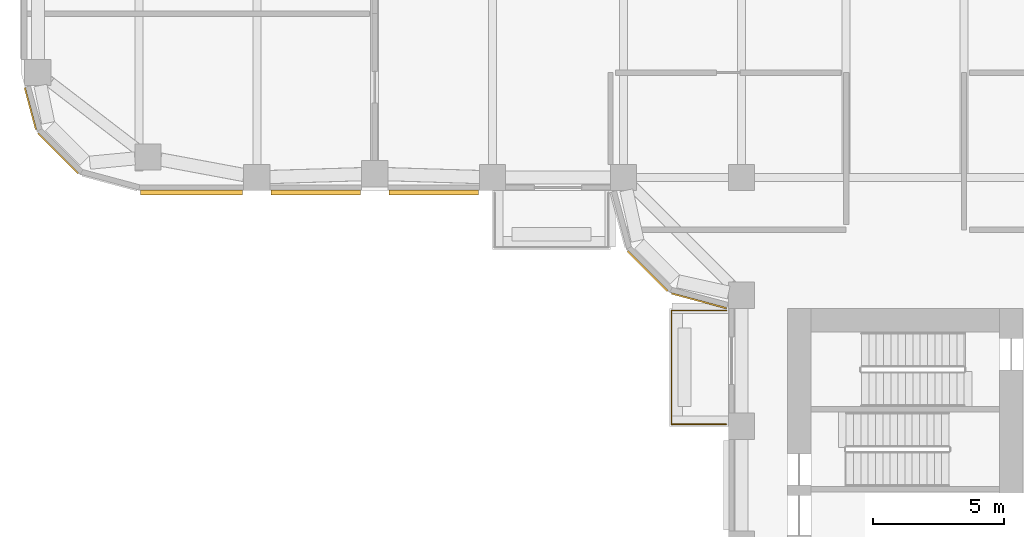
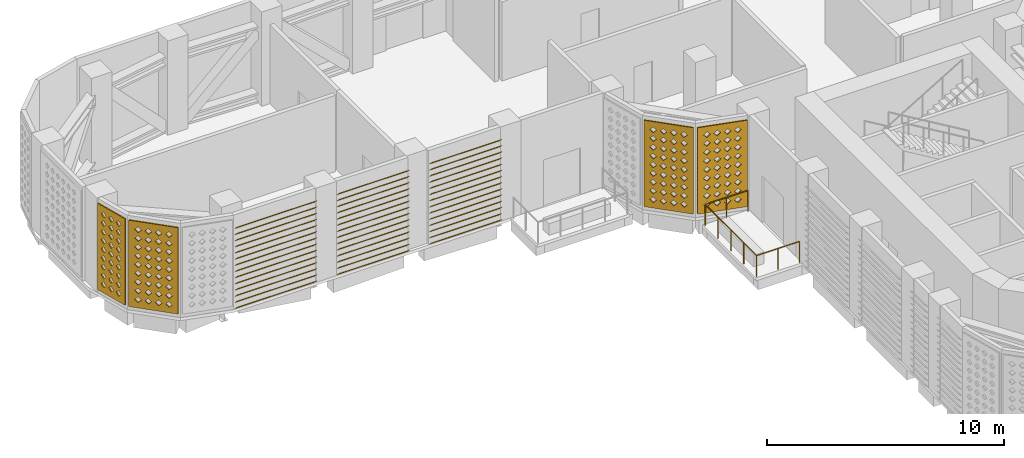
# One storey, part 10 of 20: 4 coverings, 3 shading devices, 1 railing.
"""IFC4 building model written with IfcOpenShell, lengths in metres."""

import ifcopenshell
import ifcopenshell.guid

model = None  # the IFC model being written
_history = None  # IfcOwnerHistory: only IFC2X3 demands one
_inside = {}  # id of a spatial element -> (the spatial element, [elements in it])
_under = {}  # id of a project, library or spatial element -> (it, [spatial elements below it])
_declared = {}  # id of a project -> (the project, [libraries it declares])
_typed = {}  # id of a type object -> (the type object, [elements of that type])
_made_of = {}  # id of a material, layer set ... -> (it, [elements and type objects made of it])


def new_model(schema):
    """Start an empty IFC model of exactly this schema.

    Asked for "IFC4X3", IfcOpenShell would pick the latest addendum, in which some entities
    have other attributes; the version numbers below select the first issue.
    IFC2X3 requires an IfcOwnerHistory on every rooted entity: one is made here for all.
    """
    global model, _history
    if schema == "IFC4X3":
        model = ifcopenshell.file(schema_version=(4, 3, 0, 0))
    else:
        model = ifcopenshell.file(schema=schema)
    _inside.clear()
    _under.clear()
    _declared.clear()
    _typed.clear()
    _made_of.clear()
    _history = None
    if model.schema == "IFC2X3":
        org = make("IfcOrganization", Name="unknown")
        user = make(
            "IfcPersonAndOrganization",
            ThePerson=make("IfcPerson", FamilyName="unknown"),
            TheOrganization=org,
        )
        app = make(
            "IfcApplication",
            ApplicationDeveloper=org,
            Version="unknown",
            ApplicationFullName="unknown",
            ApplicationIdentifier="unknown",
        )
        _history = make(
            "IfcOwnerHistory",
            OwningUser=user,
            OwningApplication=app,
            ChangeAction="ADDED",
            CreationDate=0,
        )
    return model


def make(cls, **values):
    """One entity of the class cls with the attributes given. An attribute that is None is left unset."""
    return model.create_entity(
        cls, **{name: value for name, value in values.items() if value is not None}
    )


def rooted(cls, **values):
    """An entity with a GlobalId (a new one), such as an element, a storey or a relation."""
    return make(cls, GlobalId=ifcopenshell.guid.new(), OwnerHistory=_history, **values)


def si_unit(unit_type, name, prefix=None):
    """IfcSIUnit, for example si_unit("LENGTHUNIT", "METRE", prefix="MILLI")."""
    return make("IfcSIUnit", UnitType=unit_type, Prefix=prefix, Name=name)


def assignment(units):
    """IfcUnitAssignment: the units of a project."""
    return None if units is None else make("IfcUnitAssignment", Units=units)


def point(xyz):
    """IfcCartesianPoint."""
    return None if xyz is None else make("IfcCartesianPoint", Coordinates=xyz)


def direction(xyz):
    """IfcDirection."""
    return None if xyz is None else make("IfcDirection", DirectionRatios=xyz)


def frame(location, z_axis=None, x_axis=None):
    """IfcAxis2Placement3D, a coordinate frame: its origin and axes. An axis left out is left unset."""
    return make(
        "IfcAxis2Placement3D",
        Location=point(location),
        Axis=direction(z_axis),
        RefDirection=direction(x_axis),
    )


def frame_2d(location, x_axis=None):
    """IfcAxis2Placement2D, a coordinate frame in the plane: its origin and x axis."""
    return make(
        "IfcAxis2Placement2D", Location=point(location), RefDirection=direction(x_axis)
    )


def origin():
    """The frame at (0, 0, 0) with its axes left unset."""
    return frame((0.0, 0.0, 0.0))


def origin_2d():
    """The frame at (0, 0) in the plane with its x axis left unset."""
    return frame_2d((0.0, 0.0))


def place(relative_to, where):
    """IfcLocalPlacement: puts the frame where relative to a parent placement (None: the world)."""
    return make(
        "IfcLocalPlacement", PlacementRelTo=relative_to, RelativePlacement=where
    )


def context(
    kind, dimensions, precision=None, world=None, true_north=None, identifier=None
):
    """IfcGeometricRepresentationContext, for example the 3D "Model" context."""
    return make(
        "IfcGeometricRepresentationContext",
        ContextIdentifier=identifier,
        ContextType=kind,
        CoordinateSpaceDimension=dimensions,
        Precision=precision,
        WorldCoordinateSystem=world,
        TrueNorth=true_north,
    )


def subcontext(parent, identifier, kind, view, scale=None):
    """IfcGeometricRepresentationSubContext, for example "Body" below "Model"."""
    return make(
        "IfcGeometricRepresentationSubContext",
        ContextIdentifier=identifier,
        ContextType=kind,
        ParentContext=parent,
        TargetScale=scale,
        TargetView=view,
    )


def project(units=None, contexts=None):
    """IfcProject with its units and contexts."""
    return rooted(
        "IfcProject",
        Name="project",
        RepresentationContexts=contexts,
        UnitsInContext=assignment(units),
    )


def spatial(cls, under=None, at=None, **own):
    """A site, building, storey or space (cls), placed at a placement, below another one or the project."""
    s = rooted(cls, ObjectPlacement=at, **own)
    if under is not None:
        _under.setdefault(under.id(), (under, []))[1].append(s)
    return s


def polyline(points):
    """IfcPolyline through the points."""
    return make("IfcPolyline", Points=[point(p) for p in points])


def profile(cls, at=None, kind="AREA", **sizes):
    """A parametric profile (cls). Its sizes go by their IFC names, for example OverallWidth=200.0."""
    return make(cls, ProfileType=kind, Position=at, **sizes)


def circle(**sizes):
    """IfcCircleProfileDef."""
    return profile("IfcCircleProfileDef", **sizes)


def outline(outer, holes=None, kind="AREA"):
    """IfcArbitraryClosedProfileDef: a profile drawn as a closed curve; with holes, ...WithVoids."""
    if holes is None:
        return make("IfcArbitraryClosedProfileDef", ProfileType=kind, OuterCurve=outer)
    return make(
        "IfcArbitraryProfileDefWithVoids",
        ProfileType=kind,
        OuterCurve=outer,
        InnerCurves=holes,
    )


def extrude(swept, where, along, depth):
    """IfcExtrudedAreaSolid: the profile swept, set in the frame where, extruded along a direction by depth."""
    return make(
        "IfcExtrudedAreaSolid",
        SweptArea=swept,
        Position=where,
        ExtrudedDirection=direction(along),
        Depth=depth,
    )


def shape(context_of_items, identifier, shape_type, items):
    """IfcShapeRepresentation: the items that make up one representation, for example the "Body"."""
    return make(
        "IfcShapeRepresentation",
        ContextOfItems=context_of_items,
        RepresentationIdentifier=identifier,
        RepresentationType=shape_type,
        Items=items,
    )


def source(mapping_origin, context_of_items, identifier, shape_type, items):
    """IfcRepresentationMap: a shape defined once, which mapped items show again and again."""
    return make(
        "IfcRepresentationMap",
        MappingOrigin=mapping_origin,
        MappedRepresentation=shape(context_of_items, identifier, shape_type, items),
    )


def transform(
    local_origin,
    x_axis=None,
    y_axis=None,
    z_axis=None,
    scale=None,
    scale2=None,
    scale3=None,
    uniform=True,
):
    """IfcCartesianTransformationOperator3D, or its non-uniform kind. x_axis, y_axis, z_axis: its Axis1, 2, 3."""
    if uniform:
        return make(
            "IfcCartesianTransformationOperator3D",
            Axis1=direction(x_axis),
            Axis2=direction(y_axis),
            LocalOrigin=point(local_origin),
            Scale=scale,
            Axis3=direction(z_axis),
        )
    return make(
        "IfcCartesianTransformationOperator3DnonUniform",
        Axis1=direction(x_axis),
        Axis2=direction(y_axis),
        LocalOrigin=point(local_origin),
        Scale=scale,
        Axis3=direction(z_axis),
        Scale2=scale2,
        Scale3=scale3,
    )


def mapped(mapping_source, mapping_target):
    """IfcMappedItem: shows the shape of a source again, moved by a transform."""
    return make(
        "IfcMappedItem", MappingSource=mapping_source, MappingTarget=mapping_target
    )


def material(Name=None, Category=None):
    """IfcMaterial."""
    return make("IfcMaterial", Name=Name, Category=Category)


def layer(
    of_material, thickness, ventilated=None, Name=None, Category=None, Priority=None
):
    """IfcMaterialLayer: one layer of a wall or slab, of a material (None: an air gap)."""
    return make(
        "IfcMaterialLayer",
        Material=of_material,
        LayerThickness=thickness,
        IsVentilated=ventilated,
        Name=Name,
        Category=Category,
        Priority=Priority,
    )


def layer_set(layers, Name=None):
    """IfcMaterialLayerSet."""
    return make("IfcMaterialLayerSet", MaterialLayers=layers, LayerSetName=Name)


def made_of(thing, what):
    """Note that an element or type object is made of a material, layer set ...; save() writes the relation."""
    if what is not None:
        _made_of.setdefault(what.id(), (what, []))[1].append(thing)
    return thing


def type_object(cls, material=None, **own):
    """A type object (cls), such as IfcWallType, which elements share."""
    return made_of(rooted(cls, **own), material)


def element(
    cls,
    number,
    at=None,
    inside=None,
    cuts=None,
    type_object=None,
    material=None,
    context=None,
    identifier="Body",
    shape_type=None,
    held_by="IfcProductDefinitionShape",
    body=None,
    shapes=None,
    **own,
):
    """One element of the class cls, such as IfcWall. Its Tag is "e" and its number.

    at: its placement. inside: the storey or other place that contains it. cuts: it is an
    opening in that element (IfcRelVoidsElement). A single representation is given by context,
    identifier, shape_type and body (its items); several are given by shapes. held_by: the class
    of the entity that holds the representations. save() writes the other relations.
    """
    e = rooted(cls, Tag="e%d" % number, ObjectPlacement=at, **own)
    if body is not None:
        shapes = [shape(context, identifier, shape_type, body)]
    if shapes is not None:
        e.Representation = make(held_by, Representations=shapes)
    if inside is not None:
        _inside.setdefault(inside.id(), (inside, []))[1].append(e)
    if cuts is not None:
        rooted(
            "IfcRelVoidsElement", RelatingBuildingElement=cuts, RelatedOpeningElement=e
        )
    if type_object is not None:
        _typed.setdefault(type_object.id(), (type_object, []))[1].append(e)
    return made_of(e, material)


def aggregate(whole, parts):
    """IfcRelAggregates: a whole, such as a stair, and the parts it consists of."""
    return rooted("IfcRelAggregates", RelatingObject=whole, RelatedObjects=parts)


def save(model, path):
    """Write the relations noted so far, then the file.

    IfcRelAggregates (storeys below a building ...), IfcRelContainedInSpatialStructure (elements
    in a storey), IfcRelDefinesByType, IfcRelAssociatesMaterial and IfcRelDeclares: one each for
    every whole, place, type object, material and project.
    """
    for whole, parts in _under.values():
        aggregate(whole, parts)
    for where, things in _inside.values():
        rooted(
            "IfcRelContainedInSpatialStructure",
            RelatedElements=things,
            RelatingStructure=where,
        )
    for kind, things in _typed.values():
        rooted("IfcRelDefinesByType", RelatedObjects=things, RelatingType=kind)
    for what, things in _made_of.values():
        rooted("IfcRelAssociatesMaterial", RelatedObjects=things, RelatingMaterial=what)
    for by, libraries in _declared.values():
        rooted("IfcRelDeclares", RelatingContext=by, RelatedDefinitions=libraries)
    model.write(path)


model = new_model("IFC4")

# Units and contexts
model_context = context("Model", 3, precision=1e-05, world=origin(), true_north=direction((0.0, 1.0)))
body_context = subcontext(model_context, "Body", "Model", "MODEL_VIEW")
ifc_project = project(units=[si_unit("LENGTHUNIT", "METRE"), si_unit("AREAUNIT", "SQUARE_METRE"), si_unit("VOLUMEUNIT", "CUBIC_METRE"), si_unit("PLANEANGLEUNIT", "RADIAN"), si_unit("MASSUNIT", "GRAM", prefix="KILO")], contexts=[model_context])

# Site, building, storey
site_placement = place(None, origin())
site = spatial("IfcSite", under=ifc_project, at=site_placement, CompositionType="ELEMENT")
building_placement = place(site_placement, origin())
building = spatial("IfcBuilding", under=site, at=building_placement, Name="Zarbagh Exchange Tower", CompositionType="ELEMENT")
storey_placement = place(building_placement, frame((0.0, 0.0, 81.60009765625)))
storey = spatial("IfcBuildingStorey", under=building, at=storey_placement, Name="L18", CompositionType="ELEMENT", Elevation=81.60009765625)

# Railing
ifc_material_1 = material(Name="Stainless steel and laminated glass", Category="steel")
railing_type = type_object("IfcRailingType", Name="Terrace guard, glass balustrade 1.1 m", PredefinedType="GUARDRAIL", material=ifc_material_1)
railing_placement = place(storey_placement, frame((-6.830078125, -15.669921875, 0.0)))
element("IfcRailing", 1, at=railing_placement, inside=storey, type_object=railing_type, Name="TG01 terrace guard", PredefinedType="GUARDRAIL", context=body_context, shape_type="SweptSolid", body=[
    extrude(circle(Radius=0.02490234375, at=origin_2d()), frame((0.0, 0.0, 1.0751953125), z_axis=(-1.0, 0.0, 0.0), x_axis=(0.0, -1.0, 0.0)), (0.0, 0.0, 1.0), 2.08984375),
    extrude(circle(Radius=0.02490234375, at=origin_2d()), frame((-2.08984375, 0.0, 1.0751953125), z_axis=(0.0, 1.0, 0.0), x_axis=(-1.0, 0.0, 0.0)), (0.0, 0.0, 1.0), 4.33984375),
    extrude(circle(Radius=0.02490234375, at=origin_2d()), frame((-2.08984375, 4.33984375, 1.0751953125), z_axis=(1.0, 0.0, 0.0), x_axis=(0.0, 1.0, 0.0)), (0.0, 0.0, 1.0), 2.08984375),
    extrude(circle(Radius=0.02490234375, at=origin_2d()), origin(), (0.0, 0.0, 1.0), 1.050048828125),
    extrude(circle(Radius=0.02490234375, at=origin_2d()), frame((-1.044921875, 0.0, 0.0)), (0.0, 0.0, 1.0), 1.050048828125),
    extrude(circle(Radius=0.02490234375, at=origin_2d()), frame((-2.08984375, 0.0, 0.0)), (0.0, 0.0, 1.0), 1.050048828125),
    extrude(circle(Radius=0.02490234375, at=origin_2d()), frame((-2.08984375, 1.0849609375, 0.0)), (0.0, 0.0, 1.0), 1.050048828125),
    extrude(circle(Radius=0.02490234375, at=origin_2d()), frame((-2.08984375, 2.169921875, 0.0)), (0.0, 0.0, 1.0), 1.050048828125),
    extrude(circle(Radius=0.02490234375, at=origin_2d()), frame((-2.08984375, 3.2548828125, 0.0)), (0.0, 0.0, 1.0), 1.050048828125),
    extrude(circle(Radius=0.02490234375, at=origin_2d()), frame((-2.08984375, 4.33984375, 0.0)), (0.0, 0.0, 1.0), 1.050048828125),
    extrude(circle(Radius=0.02490234375, at=origin_2d()), frame((-1.044921875, 4.33984375, 0.0)), (0.0, 0.0, 1.0), 1.050048828125),
    extrude(circle(Radius=0.02490234375, at=origin_2d()), frame((0.0, 4.33984375, 0.0)), (0.0, 0.0, 1.0), 1.050048828125),
])

# Coverings
ifc_material_2 = material(Name="Glass-fibre reinforced concrete GFRC C50/60", Category="concrete")
ifc_layer = layer(ifc_material_2, 0.06005859375)
ifc_layer_set = layer_set([ifc_layer], Name="SCREEN jali panel, GFRC")
covering_type = type_object("IfcCoveringType", Name="SCREEN jali panel, GFRC", PredefinedType="CLADDING", material=ifc_layer_set)
shared_shape_1 = source(origin(), body_context, "Body", "SweptSolid", [
    extrude(outline(polyline([(0.0, 0.0), (1.656005859375, 0.0), (1.656005859375, 4.449951171875), (0.0, 4.449951171875), (0.0, 0.0)]), holes=[polyline([(0.22802734375, 0.425048828125), (0.3779296875, 0.27490234375), (0.528076171875, 0.425048828125), (0.3779296875, 0.574951171875), (0.22802734375, 0.425048828125)]), polyline([(0.22802734375, 0.875), (0.3779296875, 0.72509765625), (0.528076171875, 0.875), (0.3779296875, 1.02490234375), (0.22802734375, 0.875)]), polyline([(0.22802734375, 1.324951171875), (0.3779296875, 1.175048828125), (0.528076171875, 1.324951171875), (0.3779296875, 1.47509765625), (0.22802734375, 1.324951171875)]), polyline([(0.22802734375, 1.77490234375), (0.3779296875, 1.625), (0.528076171875, 1.77490234375), (0.3779296875, 1.925048828125), (0.22802734375, 1.77490234375)]), polyline([(0.22802734375, 2.22509765625), (0.3779296875, 2.074951171875), (0.528076171875, 2.22509765625), (0.3779296875, 2.375), (0.22802734375, 2.22509765625)]), polyline([(0.22802734375, 2.675048828125), (0.3779296875, 2.52490234375), (0.528076171875, 2.675048828125), (0.3779296875, 2.824951171875), (0.22802734375, 2.675048828125)]), polyline([(0.22802734375, 3.125), (0.3779296875, 2.97509765625), (0.528076171875, 3.125), (0.3779296875, 3.27490234375), (0.22802734375, 3.125)]), polyline([(0.22802734375, 3.574951171875), (0.3779296875, 3.425048828125), (0.528076171875, 3.574951171875), (0.3779296875, 3.72509765625), (0.22802734375, 3.574951171875)]), polyline([(0.22802734375, 4.02490234375), (0.3779296875, 3.875), (0.528076171875, 4.02490234375), (0.3779296875, 4.175048828125), (0.22802734375, 4.02490234375)]), polyline([(0.677978515625, 0.425048828125), (0.827880859375, 0.27490234375), (0.97802734375, 0.425048828125), (0.827880859375, 0.574951171875), (0.677978515625, 0.425048828125)]), polyline([(0.677978515625, 0.875), (0.827880859375, 0.72509765625), (0.97802734375, 0.875), (0.827880859375, 1.02490234375), (0.677978515625, 0.875)]), polyline([(0.677978515625, 1.324951171875), (0.827880859375, 1.175048828125), (0.97802734375, 1.324951171875), (0.827880859375, 1.47509765625), (0.677978515625, 1.324951171875)]), polyline([(0.677978515625, 1.77490234375), (0.827880859375, 1.625), (0.97802734375, 1.77490234375), (0.827880859375, 1.925048828125), (0.677978515625, 1.77490234375)]), polyline([(0.677978515625, 2.22509765625), (0.827880859375, 2.074951171875), (0.97802734375, 2.22509765625), (0.827880859375, 2.375), (0.677978515625, 2.22509765625)]), polyline([(0.677978515625, 2.675048828125), (0.827880859375, 2.52490234375), (0.97802734375, 2.675048828125), (0.827880859375, 2.824951171875), (0.677978515625, 2.675048828125)]), polyline([(0.677978515625, 3.125), (0.827880859375, 2.97509765625), (0.97802734375, 3.125), (0.827880859375, 3.27490234375), (0.677978515625, 3.125)]), polyline([(0.677978515625, 3.574951171875), (0.827880859375, 3.425048828125), (0.97802734375, 3.574951171875), (0.827880859375, 3.72509765625), (0.677978515625, 3.574951171875)]), polyline([(0.677978515625, 4.02490234375), (0.827880859375, 3.875), (0.97802734375, 4.02490234375), (0.827880859375, 4.175048828125), (0.677978515625, 4.02490234375)]), polyline([(1.1279296875, 0.425048828125), (1.278076171875, 0.27490234375), (1.427978515625, 0.425048828125), (1.278076171875, 0.574951171875), (1.1279296875, 0.425048828125)]), polyline([(1.1279296875, 0.875), (1.278076171875, 0.72509765625), (1.427978515625, 0.875), (1.278076171875, 1.02490234375), (1.1279296875, 0.875)]), polyline([(1.1279296875, 1.324951171875), (1.278076171875, 1.175048828125), (1.427978515625, 1.324951171875), (1.278076171875, 1.47509765625), (1.1279296875, 1.324951171875)]), polyline([(1.1279296875, 1.77490234375), (1.278076171875, 1.625), (1.427978515625, 1.77490234375), (1.278076171875, 1.925048828125), (1.1279296875, 1.77490234375)]), polyline([(1.1279296875, 2.22509765625), (1.278076171875, 2.074951171875), (1.427978515625, 2.22509765625), (1.278076171875, 2.375), (1.1279296875, 2.22509765625)]), polyline([(1.1279296875, 2.675048828125), (1.278076171875, 2.52490234375), (1.427978515625, 2.675048828125), (1.278076171875, 2.824951171875), (1.1279296875, 2.675048828125)]), polyline([(1.1279296875, 3.125), (1.278076171875, 2.97509765625), (1.427978515625, 3.125), (1.278076171875, 3.27490234375), (1.1279296875, 3.125)]), polyline([(1.1279296875, 3.574951171875), (1.278076171875, 3.425048828125), (1.427978515625, 3.574951171875), (1.278076171875, 3.72509765625), (1.1279296875, 3.574951171875)]), polyline([(1.1279296875, 4.02490234375), (1.278076171875, 3.875), (1.427978515625, 4.02490234375), (1.278076171875, 4.175048828125), (1.1279296875, 4.02490234375)])]), origin(), (0.0, 0.0, 1.0), 0.06005859375),
])
placement = place(storey_placement, origin())
element("IfcCovering", 2, at=placement, inside=storey, type_object=covering_type, Name="JS31 jali screen", PredefinedType="CLADDING", context=body_context, shape_type="MappedRepresentation", body=[
    mapped(shared_shape_1, transform((-33.57763671875, -2.81591796875, 0.199951171875), x_axis=(0.258825057666, -0.965924215207, 0.0), y_axis=(0.0, 0.0, 1.0), z_axis=(-0.965924215207, -0.258825057666, 0.0))),
])
shared_shape_2 = source(origin(), body_context, "Body", "SweptSolid", [
    extrude(outline(polyline([(0.0, 0.0), (2.1650390625, 0.0), (2.1650390625, 4.449951171875), (0.0, 4.449951171875), (0.0, 0.0)]), holes=[polyline([(0.257568359375, 0.425048828125), (0.407470703125, 0.27490234375), (0.5576171875, 0.425048828125), (0.407470703125, 0.574951171875), (0.257568359375, 0.425048828125)]), polyline([(0.257568359375, 0.875), (0.407470703125, 0.72509765625), (0.5576171875, 0.875), (0.407470703125, 1.02490234375), (0.257568359375, 0.875)]), polyline([(0.257568359375, 1.324951171875), (0.407470703125, 1.175048828125), (0.5576171875, 1.324951171875), (0.407470703125, 1.47509765625), (0.257568359375, 1.324951171875)]), polyline([(0.257568359375, 1.77490234375), (0.407470703125, 1.625), (0.5576171875, 1.77490234375), (0.407470703125, 1.925048828125), (0.257568359375, 1.77490234375)]), polyline([(0.257568359375, 2.22509765625), (0.407470703125, 2.074951171875), (0.5576171875, 2.22509765625), (0.407470703125, 2.375), (0.257568359375, 2.22509765625)]), polyline([(0.257568359375, 2.675048828125), (0.407470703125, 2.52490234375), (0.5576171875, 2.675048828125), (0.407470703125, 2.824951171875), (0.257568359375, 2.675048828125)]), polyline([(0.257568359375, 3.125), (0.407470703125, 2.97509765625), (0.5576171875, 3.125), (0.407470703125, 3.27490234375), (0.257568359375, 3.125)]), polyline([(0.257568359375, 3.574951171875), (0.407470703125, 3.425048828125), (0.5576171875, 3.574951171875), (0.407470703125, 3.72509765625), (0.257568359375, 3.574951171875)]), polyline([(0.257568359375, 4.02490234375), (0.407470703125, 3.875), (0.5576171875, 4.02490234375), (0.407470703125, 4.175048828125), (0.257568359375, 4.02490234375)]), polyline([(0.70751953125, 0.425048828125), (0.857421875, 0.27490234375), (1.007568359375, 0.425048828125), (0.857421875, 0.574951171875), (0.70751953125, 0.425048828125)]), polyline([(0.70751953125, 0.875), (0.857421875, 0.72509765625), (1.007568359375, 0.875), (0.857421875, 1.02490234375), (0.70751953125, 0.875)]), polyline([(0.70751953125, 1.324951171875), (0.857421875, 1.175048828125), (1.007568359375, 1.324951171875), (0.857421875, 1.47509765625), (0.70751953125, 1.324951171875)]), polyline([(0.70751953125, 1.77490234375), (0.857421875, 1.625), (1.007568359375, 1.77490234375), (0.857421875, 1.925048828125), (0.70751953125, 1.77490234375)]), polyline([(0.70751953125, 2.22509765625), (0.857421875, 2.074951171875), (1.007568359375, 2.22509765625), (0.857421875, 2.375), (0.70751953125, 2.22509765625)]), polyline([(0.70751953125, 2.675048828125), (0.857421875, 2.52490234375), (1.007568359375, 2.675048828125), (0.857421875, 2.824951171875), (0.70751953125, 2.675048828125)]), polyline([(0.70751953125, 3.125), (0.857421875, 2.97509765625), (1.007568359375, 3.125), (0.857421875, 3.27490234375), (0.70751953125, 3.125)]), polyline([(0.70751953125, 3.574951171875), (0.857421875, 3.425048828125), (1.007568359375, 3.574951171875), (0.857421875, 3.72509765625), (0.70751953125, 3.574951171875)]), polyline([(0.70751953125, 4.02490234375), (0.857421875, 3.875), (1.007568359375, 4.02490234375), (0.857421875, 4.175048828125), (0.70751953125, 4.02490234375)]), polyline([(1.157470703125, 0.425048828125), (1.3076171875, 0.27490234375), (1.45751953125, 0.425048828125), (1.3076171875, 0.574951171875), (1.157470703125, 0.425048828125)]), polyline([(1.157470703125, 0.875), (1.3076171875, 0.72509765625), (1.45751953125, 0.875), (1.3076171875, 1.02490234375), (1.157470703125, 0.875)]), polyline([(1.157470703125, 1.324951171875), (1.3076171875, 1.175048828125), (1.45751953125, 1.324951171875), (1.3076171875, 1.47509765625), (1.157470703125, 1.324951171875)]), polyline([(1.157470703125, 1.77490234375), (1.3076171875, 1.625), (1.45751953125, 1.77490234375), (1.3076171875, 1.925048828125), (1.157470703125, 1.77490234375)]), polyline([(1.157470703125, 2.22509765625), (1.3076171875, 2.074951171875), (1.45751953125, 2.22509765625), (1.3076171875, 2.375), (1.157470703125, 2.22509765625)]), polyline([(1.157470703125, 2.675048828125), (1.3076171875, 2.52490234375), (1.45751953125, 2.675048828125), (1.3076171875, 2.824951171875), (1.157470703125, 2.675048828125)]), polyline([(1.157470703125, 3.125), (1.3076171875, 2.97509765625), (1.45751953125, 3.125), (1.3076171875, 3.27490234375), (1.157470703125, 3.125)]), polyline([(1.157470703125, 3.574951171875), (1.3076171875, 3.425048828125), (1.45751953125, 3.574951171875), (1.3076171875, 3.72509765625), (1.157470703125, 3.574951171875)]), polyline([(1.157470703125, 4.02490234375), (1.3076171875, 3.875), (1.45751953125, 4.02490234375), (1.3076171875, 4.175048828125), (1.157470703125, 4.02490234375)]), polyline([(1.607421875, 0.425048828125), (1.757568359375, 0.27490234375), (1.907470703125, 0.425048828125), (1.757568359375, 0.574951171875), (1.607421875, 0.425048828125)]), polyline([(1.607421875, 0.875), (1.757568359375, 0.72509765625), (1.907470703125, 0.875), (1.757568359375, 1.02490234375), (1.607421875, 0.875)]), polyline([(1.607421875, 1.324951171875), (1.757568359375, 1.175048828125), (1.907470703125, 1.324951171875), (1.757568359375, 1.47509765625), (1.607421875, 1.324951171875)]), polyline([(1.607421875, 1.77490234375), (1.757568359375, 1.625), (1.907470703125, 1.77490234375), (1.757568359375, 1.925048828125), (1.607421875, 1.77490234375)]), polyline([(1.607421875, 2.22509765625), (1.757568359375, 2.074951171875), (1.907470703125, 2.22509765625), (1.757568359375, 2.375), (1.607421875, 2.22509765625)]), polyline([(1.607421875, 2.675048828125), (1.757568359375, 2.52490234375), (1.907470703125, 2.675048828125), (1.757568359375, 2.824951171875), (1.607421875, 2.675048828125)]), polyline([(1.607421875, 3.125), (1.757568359375, 2.97509765625), (1.907470703125, 3.125), (1.757568359375, 3.27490234375), (1.607421875, 3.125)]), polyline([(1.607421875, 3.574951171875), (1.757568359375, 3.425048828125), (1.907470703125, 3.574951171875), (1.757568359375, 3.72509765625), (1.607421875, 3.574951171875)]), polyline([(1.607421875, 4.02490234375), (1.757568359375, 3.875), (1.907470703125, 4.02490234375), (1.757568359375, 4.175048828125), (1.607421875, 4.02490234375)])]), origin(), (0.0, 0.0, 1.0), 0.06005859375),
])
element("IfcCovering", 3, at=placement, inside=storey, type_object=covering_type, Name="JS32 jali screen", PredefinedType="CLADDING", context=body_context, shape_type="MappedRepresentation", body=[
    mapped(shared_shape_2, transform((-33.074951171875, -4.5439453125, 0.199951171875), x_axis=(0.707106781187, -0.707106781187, 0.0), y_axis=(0.0, 0.0, 1.0), z_axis=(-0.707106781187, -0.707106781187, 0.0))),
])
element("IfcCovering", 4, at=placement, inside=storey, type_object=covering_type, Name="JS35 jali screen", PredefinedType="CLADDING", context=body_context, shape_type="MappedRepresentation", body=[
    mapped(shared_shape_2, transform((-10.574951171875, -9.0439453125, 0.199951171875), x_axis=(0.707106781187, -0.707106781187, 0.0), y_axis=(0.0, 0.0, 1.0), z_axis=(-0.707106781187, -0.707106781187, 0.0))),
])

# Shading devices
ifc_material_3 = material(Name="Anodised aluminium", Category="aluminium")
shading_device_type = type_object("IfcShadingDeviceType", Name="LOUVRE plant louvre, fixed blades", PredefinedType="USERDEFINED", material=ifc_material_3)
shared_shape_3 = source(origin(), body_context, "Body", "SweptSolid", [
    extrude(outline(polyline([(0.0, 0.199951171875), (0.199951171875, 0.0), (0.199951171875, -0.02001953125), (0.0, 0.179931640625), (0.0, 0.199951171875)])), origin(), (0.0, 0.0, 1.0), 3.419921875),
])
element("IfcShadingDevice", 5, at=placement, inside=storey, type_object=shading_device_type, Name="LV07 plant louvre", ObjectType="LOUVRE", PredefinedType="USERDEFINED", context=body_context, shape_type="MappedRepresentation", body=[
    mapped(shared_shape_3, transform((-24.2099609375, -6.72998046875, 0.199951171875), x_axis=(0.0, -1.0, 0.0), y_axis=(0.0, 0.0, -1.0), z_axis=(1.0, 0.0, 0.0))),
    mapped(shared_shape_3, transform((-24.2099609375, -6.72998046875, 0.517822265625), x_axis=(0.0, -1.0, 0.0), y_axis=(0.0, 0.0, -1.0), z_axis=(1.0, 0.0, 0.0))),
    mapped(shared_shape_3, transform((-24.2099609375, -6.72998046875, 0.835693359375), x_axis=(0.0, -1.0, 0.0), y_axis=(0.0, 0.0, -1.0), z_axis=(1.0, 0.0, 0.0))),
    mapped(shared_shape_3, transform((-24.2099609375, -6.72998046875, 1.153564453125), x_axis=(0.0, -1.0, 0.0), y_axis=(0.0, 0.0, -1.0), z_axis=(1.0, 0.0, 0.0))),
    mapped(shared_shape_3, transform((-24.2099609375, -6.72998046875, 1.471435546875), x_axis=(0.0, -1.0, 0.0), y_axis=(0.0, 0.0, -1.0), z_axis=(1.0, 0.0, 0.0))),
    mapped(shared_shape_3, transform((-24.2099609375, -6.72998046875, 1.789306640625), x_axis=(0.0, -1.0, 0.0), y_axis=(0.0, 0.0, -1.0), z_axis=(1.0, 0.0, 0.0))),
    mapped(shared_shape_3, transform((-24.2099609375, -6.72998046875, 2.10693359375), x_axis=(0.0, -1.0, 0.0), y_axis=(0.0, 0.0, -1.0), z_axis=(1.0, 0.0, 0.0))),
    mapped(shared_shape_3, transform((-24.2099609375, -6.72998046875, 2.4248046875), x_axis=(0.0, -1.0, 0.0), y_axis=(0.0, 0.0, -1.0), z_axis=(1.0, 0.0, 0.0))),
    mapped(shared_shape_3, transform((-24.2099609375, -6.72998046875, 2.74267578125), x_axis=(0.0, -1.0, 0.0), y_axis=(0.0, 0.0, -1.0), z_axis=(1.0, 0.0, 0.0))),
    mapped(shared_shape_3, transform((-24.2099609375, -6.72998046875, 3.060546875), x_axis=(0.0, -1.0, 0.0), y_axis=(0.0, 0.0, -1.0), z_axis=(1.0, 0.0, 0.0))),
    mapped(shared_shape_3, transform((-24.2099609375, -6.72998046875, 3.37841796875), x_axis=(0.0, -1.0, 0.0), y_axis=(0.0, 0.0, -1.0), z_axis=(1.0, 0.0, 0.0))),
    mapped(shared_shape_3, transform((-24.2099609375, -6.72998046875, 3.6962890625), x_axis=(0.0, -1.0, 0.0), y_axis=(0.0, 0.0, -1.0), z_axis=(1.0, 0.0, 0.0))),
    mapped(shared_shape_3, transform((-24.2099609375, -6.72998046875, 4.01416015625), x_axis=(0.0, -1.0, 0.0), y_axis=(0.0, 0.0, -1.0), z_axis=(1.0, 0.0, 0.0))),
    mapped(shared_shape_3, transform((-24.2099609375, -6.72998046875, 4.33203125), x_axis=(0.0, -1.0, 0.0), y_axis=(0.0, 0.0, -1.0), z_axis=(1.0, 0.0, 0.0))),
])
element("IfcShadingDevice", 6, at=placement, inside=storey, type_object=shading_device_type, Name="LV07 plant louvre", ObjectType="LOUVRE", PredefinedType="USERDEFINED", context=body_context, shape_type="MappedRepresentation", body=[
    mapped(shared_shape_3, transform((-19.7099609375, -6.72998046875, 0.199951171875), x_axis=(0.0, -1.0, 0.0), y_axis=(0.0, 0.0, -1.0), z_axis=(1.0, 0.0, 0.0))),
    mapped(shared_shape_3, transform((-19.7099609375, -6.72998046875, 0.517822265625), x_axis=(0.0, -1.0, 0.0), y_axis=(0.0, 0.0, -1.0), z_axis=(1.0, 0.0, 0.0))),
    mapped(shared_shape_3, transform((-19.7099609375, -6.72998046875, 0.835693359375), x_axis=(0.0, -1.0, 0.0), y_axis=(0.0, 0.0, -1.0), z_axis=(1.0, 0.0, 0.0))),
    mapped(shared_shape_3, transform((-19.7099609375, -6.72998046875, 1.153564453125), x_axis=(0.0, -1.0, 0.0), y_axis=(0.0, 0.0, -1.0), z_axis=(1.0, 0.0, 0.0))),
    mapped(shared_shape_3, transform((-19.7099609375, -6.72998046875, 1.471435546875), x_axis=(0.0, -1.0, 0.0), y_axis=(0.0, 0.0, -1.0), z_axis=(1.0, 0.0, 0.0))),
    mapped(shared_shape_3, transform((-19.7099609375, -6.72998046875, 1.789306640625), x_axis=(0.0, -1.0, 0.0), y_axis=(0.0, 0.0, -1.0), z_axis=(1.0, 0.0, 0.0))),
    mapped(shared_shape_3, transform((-19.7099609375, -6.72998046875, 2.10693359375), x_axis=(0.0, -1.0, 0.0), y_axis=(0.0, 0.0, -1.0), z_axis=(1.0, 0.0, 0.0))),
    mapped(shared_shape_3, transform((-19.7099609375, -6.72998046875, 2.4248046875), x_axis=(0.0, -1.0, 0.0), y_axis=(0.0, 0.0, -1.0), z_axis=(1.0, 0.0, 0.0))),
    mapped(shared_shape_3, transform((-19.7099609375, -6.72998046875, 2.74267578125), x_axis=(0.0, -1.0, 0.0), y_axis=(0.0, 0.0, -1.0), z_axis=(1.0, 0.0, 0.0))),
    mapped(shared_shape_3, transform((-19.7099609375, -6.72998046875, 3.060546875), x_axis=(0.0, -1.0, 0.0), y_axis=(0.0, 0.0, -1.0), z_axis=(1.0, 0.0, 0.0))),
    mapped(shared_shape_3, transform((-19.7099609375, -6.72998046875, 3.37841796875), x_axis=(0.0, -1.0, 0.0), y_axis=(0.0, 0.0, -1.0), z_axis=(1.0, 0.0, 0.0))),
    mapped(shared_shape_3, transform((-19.7099609375, -6.72998046875, 3.6962890625), x_axis=(0.0, -1.0, 0.0), y_axis=(0.0, 0.0, -1.0), z_axis=(1.0, 0.0, 0.0))),
    mapped(shared_shape_3, transform((-19.7099609375, -6.72998046875, 4.01416015625), x_axis=(0.0, -1.0, 0.0), y_axis=(0.0, 0.0, -1.0), z_axis=(1.0, 0.0, 0.0))),
    mapped(shared_shape_3, transform((-19.7099609375, -6.72998046875, 4.33203125), x_axis=(0.0, -1.0, 0.0), y_axis=(0.0, 0.0, -1.0), z_axis=(1.0, 0.0, 0.0))),
])

# Covering
shared_shape_4 = source(origin(), body_context, "Body", "SweptSolid", [
    extrude(outline(polyline([(0.0, 0.0), (2.173583984375, 0.0), (2.173583984375, 4.449951171875), (0.0, 4.449951171875), (0.0, 0.0)]), holes=[polyline([(0.261962890625, 0.425048828125), (0.411865234375, 0.27490234375), (0.561767578125, 0.425048828125), (0.411865234375, 0.574951171875), (0.261962890625, 0.425048828125)]), polyline([(0.261962890625, 0.875), (0.411865234375, 0.72509765625), (0.561767578125, 0.875), (0.411865234375, 1.02490234375), (0.261962890625, 0.875)]), polyline([(0.261962890625, 1.324951171875), (0.411865234375, 1.175048828125), (0.561767578125, 1.324951171875), (0.411865234375, 1.47509765625), (0.261962890625, 1.324951171875)]), polyline([(0.261962890625, 1.77490234375), (0.411865234375, 1.625), (0.561767578125, 1.77490234375), (0.411865234375, 1.925048828125), (0.261962890625, 1.77490234375)]), polyline([(0.261962890625, 2.22509765625), (0.411865234375, 2.074951171875), (0.561767578125, 2.22509765625), (0.411865234375, 2.375), (0.261962890625, 2.22509765625)]), polyline([(0.261962890625, 2.675048828125), (0.411865234375, 2.52490234375), (0.561767578125, 2.675048828125), (0.411865234375, 2.824951171875), (0.261962890625, 2.675048828125)]), polyline([(0.261962890625, 3.125), (0.411865234375, 2.97509765625), (0.561767578125, 3.125), (0.411865234375, 3.27490234375), (0.261962890625, 3.125)]), polyline([(0.261962890625, 3.574951171875), (0.411865234375, 3.425048828125), (0.561767578125, 3.574951171875), (0.411865234375, 3.72509765625), (0.261962890625, 3.574951171875)]), polyline([(0.261962890625, 4.02490234375), (0.411865234375, 3.875), (0.561767578125, 4.02490234375), (0.411865234375, 4.175048828125), (0.261962890625, 4.02490234375)]), polyline([(0.7119140625, 0.425048828125), (0.86181640625, 0.27490234375), (1.011962890625, 0.425048828125), (0.86181640625, 0.574951171875), (0.7119140625, 0.425048828125)]), polyline([(0.7119140625, 0.875), (0.86181640625, 0.72509765625), (1.011962890625, 0.875), (0.86181640625, 1.02490234375), (0.7119140625, 0.875)]), polyline([(0.7119140625, 1.324951171875), (0.86181640625, 1.175048828125), (1.011962890625, 1.324951171875), (0.86181640625, 1.47509765625), (0.7119140625, 1.324951171875)]), polyline([(0.7119140625, 1.77490234375), (0.86181640625, 1.625), (1.011962890625, 1.77490234375), (0.86181640625, 1.925048828125), (0.7119140625, 1.77490234375)]), polyline([(0.7119140625, 2.22509765625), (0.86181640625, 2.074951171875), (1.011962890625, 2.22509765625), (0.86181640625, 2.375), (0.7119140625, 2.22509765625)]), polyline([(0.7119140625, 2.675048828125), (0.86181640625, 2.52490234375), (1.011962890625, 2.675048828125), (0.86181640625, 2.824951171875), (0.7119140625, 2.675048828125)]), polyline([(0.7119140625, 3.125), (0.86181640625, 2.97509765625), (1.011962890625, 3.125), (0.86181640625, 3.27490234375), (0.7119140625, 3.125)]), polyline([(0.7119140625, 3.574951171875), (0.86181640625, 3.425048828125), (1.011962890625, 3.574951171875), (0.86181640625, 3.72509765625), (0.7119140625, 3.574951171875)]), polyline([(0.7119140625, 4.02490234375), (0.86181640625, 3.875), (1.011962890625, 4.02490234375), (0.86181640625, 4.175048828125), (0.7119140625, 4.02490234375)]), polyline([(1.161865234375, 0.425048828125), (1.311767578125, 0.27490234375), (1.4619140625, 0.425048828125), (1.311767578125, 0.574951171875), (1.161865234375, 0.425048828125)]), polyline([(1.161865234375, 0.875), (1.311767578125, 0.72509765625), (1.4619140625, 0.875), (1.311767578125, 1.02490234375), (1.161865234375, 0.875)]), polyline([(1.161865234375, 1.324951171875), (1.311767578125, 1.175048828125), (1.4619140625, 1.324951171875), (1.311767578125, 1.47509765625), (1.161865234375, 1.324951171875)]), polyline([(1.161865234375, 1.77490234375), (1.311767578125, 1.625), (1.4619140625, 1.77490234375), (1.311767578125, 1.925048828125), (1.161865234375, 1.77490234375)]), polyline([(1.161865234375, 2.22509765625), (1.311767578125, 2.074951171875), (1.4619140625, 2.22509765625), (1.311767578125, 2.375), (1.161865234375, 2.22509765625)]), polyline([(1.161865234375, 2.675048828125), (1.311767578125, 2.52490234375), (1.4619140625, 2.675048828125), (1.311767578125, 2.824951171875), (1.161865234375, 2.675048828125)]), polyline([(1.161865234375, 3.125), (1.311767578125, 2.97509765625), (1.4619140625, 3.125), (1.311767578125, 3.27490234375), (1.161865234375, 3.125)]), polyline([(1.161865234375, 3.574951171875), (1.311767578125, 3.425048828125), (1.4619140625, 3.574951171875), (1.311767578125, 3.72509765625), (1.161865234375, 3.574951171875)]), polyline([(1.161865234375, 4.02490234375), (1.311767578125, 3.875), (1.4619140625, 4.02490234375), (1.311767578125, 4.175048828125), (1.161865234375, 4.02490234375)]), polyline([(1.61181640625, 0.425048828125), (1.761962890625, 0.27490234375), (1.911865234375, 0.425048828125), (1.761962890625, 0.574951171875), (1.61181640625, 0.425048828125)]), polyline([(1.61181640625, 0.875), (1.761962890625, 0.72509765625), (1.911865234375, 0.875), (1.761962890625, 1.02490234375), (1.61181640625, 0.875)]), polyline([(1.61181640625, 1.324951171875), (1.761962890625, 1.175048828125), (1.911865234375, 1.324951171875), (1.761962890625, 1.47509765625), (1.61181640625, 1.324951171875)]), polyline([(1.61181640625, 1.77490234375), (1.761962890625, 1.625), (1.911865234375, 1.77490234375), (1.761962890625, 1.925048828125), (1.61181640625, 1.77490234375)]), polyline([(1.61181640625, 2.22509765625), (1.761962890625, 2.074951171875), (1.911865234375, 2.22509765625), (1.761962890625, 2.375), (1.61181640625, 2.22509765625)]), polyline([(1.61181640625, 2.675048828125), (1.761962890625, 2.52490234375), (1.911865234375, 2.675048828125), (1.761962890625, 2.824951171875), (1.61181640625, 2.675048828125)]), polyline([(1.61181640625, 3.125), (1.761962890625, 2.97509765625), (1.911865234375, 3.125), (1.761962890625, 3.27490234375), (1.61181640625, 3.125)]), polyline([(1.61181640625, 3.574951171875), (1.761962890625, 3.425048828125), (1.911865234375, 3.574951171875), (1.761962890625, 3.72509765625), (1.61181640625, 3.574951171875)]), polyline([(1.61181640625, 4.02490234375), (1.761962890625, 3.875), (1.911865234375, 4.02490234375), (1.761962890625, 4.175048828125), (1.61181640625, 4.02490234375)])]), origin(), (0.0, 0.0, 1.0), 0.06005859375),
])
element("IfcCovering", 7, at=placement, inside=storey, type_object=covering_type, Name="JS36 jali screen", PredefinedType="CLADDING", context=body_context, shape_type="MappedRepresentation", body=[
    mapped(shared_shape_4, transform((-8.91552734375, -10.64892578125, 0.199951171875), x_axis=(0.965924215207, -0.258825057666, 0.0), y_axis=(0.0, 0.0, 1.0), z_axis=(-0.258825057666, -0.965924215207, 0.0))),
])

# Shading device
shared_shape_5 = source(origin(), body_context, "Body", "SweptSolid", [
    extrude(outline(polyline([(0.0, 0.199951171875), (0.199951171875, 0.0), (0.199951171875, -0.02001953125), (0.0, 0.179931640625), (0.0, 0.199951171875)])), origin(), (0.0, 0.0, 1.0), 3.894287109375),
])
element("IfcShadingDevice", 8, at=placement, inside=storey, type_object=shading_device_type, Name="LV07 plant louvre", ObjectType="LOUVRE", PredefinedType="USERDEFINED", context=body_context, shape_type="MappedRepresentation", body=[
    mapped(shared_shape_5, transform((-29.18408203125, -6.72998046875, 0.199951171875), x_axis=(0.0, -1.0, 0.0), y_axis=(0.0, 0.0, -1.0), z_axis=(1.0, 0.0, 0.0))),
    mapped(shared_shape_5, transform((-29.18408203125, -6.72998046875, 0.517822265625), x_axis=(0.0, -1.0, 0.0), y_axis=(0.0, 0.0, -1.0), z_axis=(1.0, 0.0, 0.0))),
    mapped(shared_shape_5, transform((-29.18408203125, -6.72998046875, 0.835693359375), x_axis=(0.0, -1.0, 0.0), y_axis=(0.0, 0.0, -1.0), z_axis=(1.0, 0.0, 0.0))),
    mapped(shared_shape_5, transform((-29.18408203125, -6.72998046875, 1.153564453125), x_axis=(0.0, -1.0, 0.0), y_axis=(0.0, 0.0, -1.0), z_axis=(1.0, 0.0, 0.0))),
    mapped(shared_shape_5, transform((-29.18408203125, -6.72998046875, 1.471435546875), x_axis=(0.0, -1.0, 0.0), y_axis=(0.0, 0.0, -1.0), z_axis=(1.0, 0.0, 0.0))),
    mapped(shared_shape_5, transform((-29.18408203125, -6.72998046875, 1.789306640625), x_axis=(0.0, -1.0, 0.0), y_axis=(0.0, 0.0, -1.0), z_axis=(1.0, 0.0, 0.0))),
    mapped(shared_shape_5, transform((-29.18408203125, -6.72998046875, 2.10693359375), x_axis=(0.0, -1.0, 0.0), y_axis=(0.0, 0.0, -1.0), z_axis=(1.0, 0.0, 0.0))),
    mapped(shared_shape_5, transform((-29.18408203125, -6.72998046875, 2.4248046875), x_axis=(0.0, -1.0, 0.0), y_axis=(0.0, 0.0, -1.0), z_axis=(1.0, 0.0, 0.0))),
    mapped(shared_shape_5, transform((-29.18408203125, -6.72998046875, 2.74267578125), x_axis=(0.0, -1.0, 0.0), y_axis=(0.0, 0.0, -1.0), z_axis=(1.0, 0.0, 0.0))),
    mapped(shared_shape_5, transform((-29.18408203125, -6.72998046875, 3.060546875), x_axis=(0.0, -1.0, 0.0), y_axis=(0.0, 0.0, -1.0), z_axis=(1.0, 0.0, 0.0))),
    mapped(shared_shape_5, transform((-29.18408203125, -6.72998046875, 3.37841796875), x_axis=(0.0, -1.0, 0.0), y_axis=(0.0, 0.0, -1.0), z_axis=(1.0, 0.0, 0.0))),
    mapped(shared_shape_5, transform((-29.18408203125, -6.72998046875, 3.6962890625), x_axis=(0.0, -1.0, 0.0), y_axis=(0.0, 0.0, -1.0), z_axis=(1.0, 0.0, 0.0))),
    mapped(shared_shape_5, transform((-29.18408203125, -6.72998046875, 4.01416015625), x_axis=(0.0, -1.0, 0.0), y_axis=(0.0, 0.0, -1.0), z_axis=(1.0, 0.0, 0.0))),
    mapped(shared_shape_5, transform((-29.18408203125, -6.72998046875, 4.33203125), x_axis=(0.0, -1.0, 0.0), y_axis=(0.0, 0.0, -1.0), z_axis=(1.0, 0.0, 0.0))),
])

save(model, "model.ifc")
